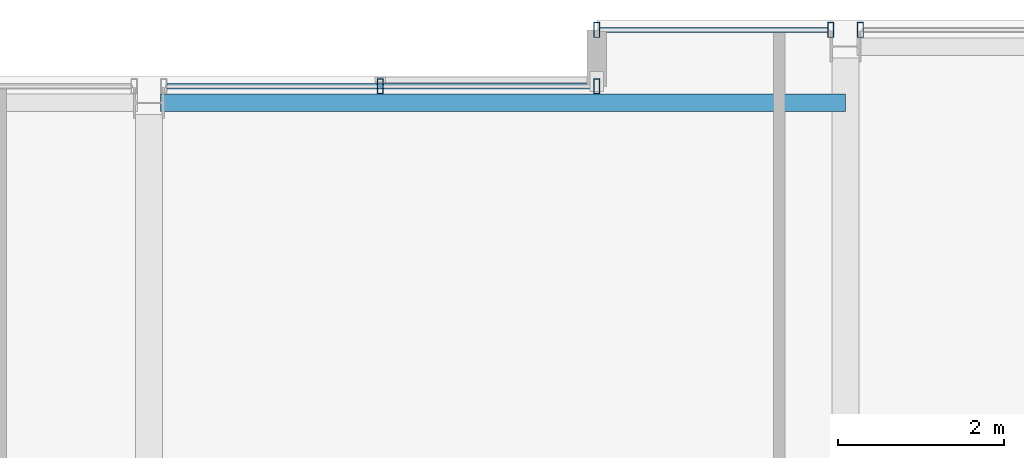
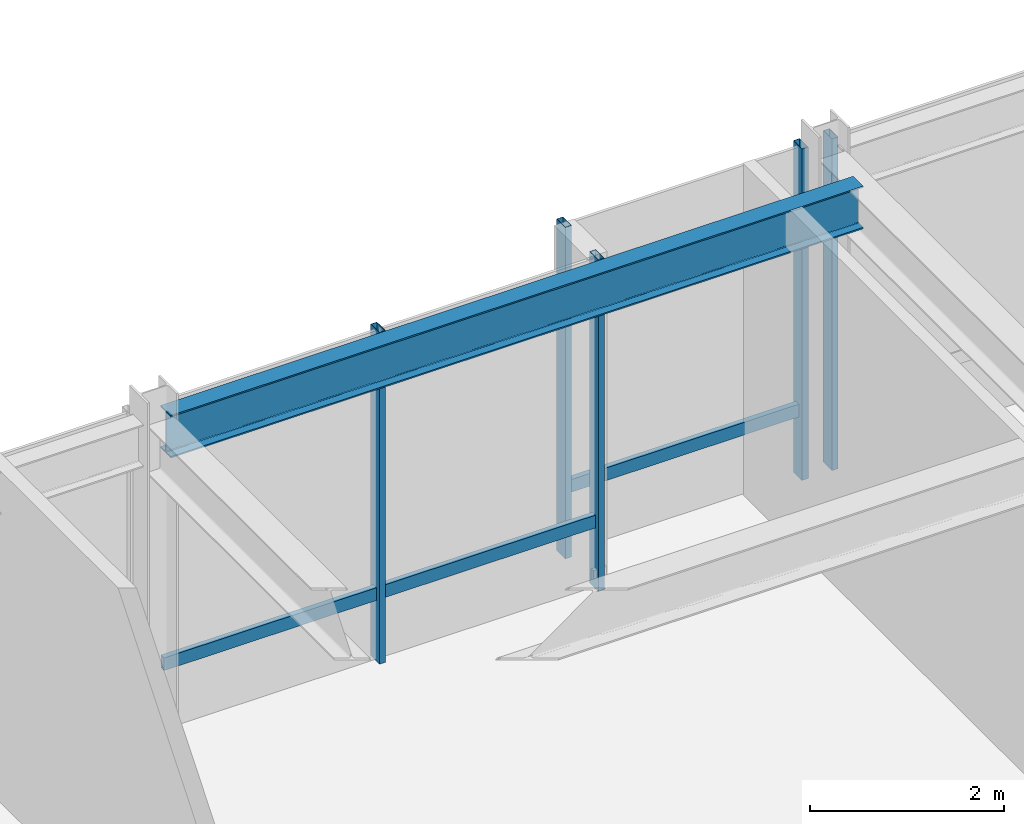
# One storey, part 22 of 32: 7 members, 1 beam, 3 elements without a shape of their own.
"""IFC4 building model written with IfcOpenShell, lengths in metres."""

from ifc_helpers import new_model, si_unit, direction, frame, origin, origin_2d, place, context, subcontext, project, spatial, hollow_rectangle, i_section, extrude, material, layer, layer_set, material_profile, profile_set, type_object, element, aggregate, save


model = new_model("IFC4")

# Units and contexts
model_context = context("Model", 3, precision=1e-05, world=origin(), true_north=direction((0.0, 1.0)))
body_context = subcontext(model_context, "Body", "Model", "MODEL_VIEW")
ifc_project = project(units=[si_unit("LENGTHUNIT", "METRE"), si_unit("AREAUNIT", "SQUARE_METRE"), si_unit("VOLUMEUNIT", "CUBIC_METRE"), si_unit("PLANEANGLEUNIT", "RADIAN"), si_unit("MASSUNIT", "GRAM", prefix="KILO")], contexts=[model_context])

# Site, building, storey
site_placement = place(None, origin())
site = spatial("IfcSite", under=ifc_project, at=site_placement, CompositionType="ELEMENT")
building_placement = place(site_placement, origin())
building = spatial("IfcBuilding", under=site, at=building_placement, Name="Drelvath Grand Hotel", CompositionType="ELEMENT")
storey_placement = place(building_placement, frame((0.0, 0.0, 255.5)))
storey = spatial("IfcBuildingStorey", under=building, at=storey_placement, Name="L67", CompositionType="ELEMENT", Elevation=255.5)

# Curtain wall, member
ifc_material_1 = material(Name="Platinum-Mist Anodised Aluminium Frame", Category="aluminium")
ifc_layer = layer(ifc_material_1, 0.199951171875)
ifc_layer_set = layer_set([ifc_layer], Name="Platinum-Mist Anodised Aluminium Frame")
curtain_wall_type = type_object("IfcCurtainWallType", Name="Stick Curtain Wall CW-05 Platinum Mist High-Rise", PredefinedType="NOTDEFINED", material=ifc_layer_set)
curtain_wall_1_placement = place(storey_placement, origin())
curtain_wall_1 = element("IfcCurtainWall", 1, at=curtain_wall_1_placement, inside=storey, type_object=curtain_wall_type, Name="L67 CW-05 Curtain Wall CW05-L67-NM2", PredefinedType="NOTDEFINED")
ifc_material_profile_1 = material_profile(ifc_material_1, hollow_rectangle(XDim=0.06494140625, YDim=0.159912109375, WallThickness=0.00390625, at=origin_2d()), Name="HSS160X65X4")
ifc_profile_set_1 = profile_set([ifc_material_profile_1], Name="Platinum-Mist Anodised Aluminium Frame")
member_type_1 = type_object("IfcMemberType", Name="Curtain Wall Horizontal Transom CW-05 HSS160X65X4", PredefinedType="USERDEFINED", material=ifc_profile_set_1)
member_1_placement = place(storey_placement, frame((0.21826171875, 48.39990234375, 0.85009765625), z_axis=(1.0, 0.0, 0.0), x_axis=(0.0, 1.0, 0.0)))
member_1 = element("IfcMember", 2, at=member_1_placement, type_object=member_type_1, Name="CW05-L67-NM2 Sill Transom", ObjectType="TRANSOM", PredefinedType="USERDEFINED", context=body_context, shape_type="SweptSolid", body=[
    extrude(hollow_rectangle(XDim=0.06494140625, YDim=0.159912109375, WallThickness=0.00390625, at=origin_2d()), origin(), (0.0, 0.0, 1.0), 5.141845703125),
])

curtain_wall_2_placement = place(storey_placement, origin())
curtain_wall_2 = element("IfcCurtainWall", 3, at=curtain_wall_2_placement, inside=storey, type_object=curtain_wall_type, Name="L67 CW-05 Curtain Wall CW05-L67-NE1", PredefinedType="NOTDEFINED")
member_2_placement = place(storey_placement, frame((5.43994140625, 49.080078125, 0.85009765625), z_axis=(1.0, 0.0, 0.0), x_axis=(0.0, 1.0, 0.0)))
member_2 = element("IfcMember", 4, at=member_2_placement, type_object=member_type_1, Name="CW05-L67-NE1 Sill Transom", ObjectType="TRANSOM", PredefinedType="USERDEFINED", context=body_context, shape_type="SweptSolid", body=[
    extrude(hollow_rectangle(XDim=0.06494140625, YDim=0.159912109375, WallThickness=0.00390625, at=origin_2d()), origin(), (0.0, 0.0, 1.0), 2.741943359375),
])

# Member
ifc_material_profile_2 = material_profile(ifc_material_1, hollow_rectangle(XDim=0.074951171875, YDim=0.179931640625, WallThickness=0.0048828125, at=origin_2d()), Name="HSS180X75X5")
ifc_profile_set_2 = profile_set([ifc_material_profile_2], Name="Platinum-Mist Anodised Aluminium Frame")
member_type_2 = type_object("IfcMemberType", Name="Curtain Wall Vertical Mullion CW-05 HSS180X75X5", PredefinedType="MULLION", material=ifc_profile_set_2)
member_3_placement = place(storey_placement, frame((2.7890625, 48.39990234375, 0.0), z_axis=(0.0, 0.0, 1.0), x_axis=(1.0, 0.0, 0.0)))
member_3 = element("IfcMember", 5, at=member_3_placement, type_object=member_type_2, Name="CW05-L67-NM2 Mullion 2", PredefinedType="MULLION", context=body_context, shape_type="SweptSolid", body=[
    extrude(hollow_rectangle(XDim=0.074951171875, YDim=0.179931640625, WallThickness=0.0048828125, at=origin_2d()), origin(), (0.0, 0.0, 1.0), 4.179931640625),
])

member_4_placement = place(storey_placement, frame((5.39990234375, 48.39990234375, 0.0), z_axis=(0.0, 0.0, 1.0), x_axis=(1.0, 0.0, 0.0)))
member_4 = element("IfcMember", 6, at=member_4_placement, type_object=member_type_2, Name="CW05-L67-NM2 Mullion 3", PredefinedType="MULLION", context=body_context, shape_type="SweptSolid", body=[
    extrude(hollow_rectangle(XDim=0.074951171875, YDim=0.179931640625, WallThickness=0.0048828125, at=origin_2d()), origin(), (0.0, 0.0, 1.0), 4.179931640625),
])

aggregate(curtain_wall_1, [member_3, member_4, member_1])

member_5_placement = place(storey_placement, frame((5.39990234375, 49.080078125, 0.0), z_axis=(0.0, 0.0, 1.0), x_axis=(1.0, 0.0, 0.0)))
member_5 = element("IfcMember", 7, at=member_5_placement, type_object=member_type_2, Name="CW05-L67-NE1 Mullion 1", PredefinedType="MULLION", context=body_context, shape_type="SweptSolid", body=[
    extrude(hollow_rectangle(XDim=0.074951171875, YDim=0.179931640625, WallThickness=0.0048828125, at=origin_2d()), origin(), (0.0, 0.0, 1.0), 4.179931640625),
])

member_6_placement = place(storey_placement, frame((8.2216796875, 49.080078125, 0.0), z_axis=(0.0, 0.0, 1.0), x_axis=(1.0, 0.0, 0.0)))
member_6 = element("IfcMember", 8, at=member_6_placement, type_object=member_type_2, Name="CW05-L67-NE1 Mullion 2", PredefinedType="MULLION", context=body_context, shape_type="SweptSolid", body=[
    extrude(hollow_rectangle(XDim=0.074951171875, YDim=0.179931640625, WallThickness=0.0048828125, at=origin_2d()), origin(), (0.0, 0.0, 1.0), 4.179931640625),
])

aggregate(curtain_wall_2, [member_5, member_6, member_2])

# Curtain wall, member
curtain_wall_3_placement = place(storey_placement, origin())
curtain_wall_3 = element("IfcCurtainWall", 9, at=curtain_wall_3_placement, inside=storey, type_object=curtain_wall_type, Name="L67 CW-05 Curtain Wall CW05-L67-NE2", PredefinedType="NOTDEFINED")
member_7_placement = place(storey_placement, frame((8.578125, 49.080078125, 0.0), z_axis=(0.0, 0.0, 1.0), x_axis=(1.0, 0.0, 0.0)))
member_7 = element("IfcMember", 10, at=member_7_placement, type_object=member_type_2, Name="CW05-L67-NE2 Mullion 1", PredefinedType="MULLION", context=body_context, shape_type="SweptSolid", body=[
    extrude(hollow_rectangle(XDim=0.074951171875, YDim=0.179931640625, WallThickness=0.0048828125, at=origin_2d()), origin(), (0.0, 0.0, 1.0), 4.179931640625),
])
aggregate(curtain_wall_3, [member_7])

# Beam
ifc_material_2 = material(Name="Steel ASTM A992 Gr 50", Category="steel")
ifc_material_profile_3 = material_profile(ifc_material_2, i_section(OverallWidth=0.210205078125, OverallDepth=0.53662109375, WebThickness=0.010986328125, FlangeThickness=0.017333984375, FilletRadius=0.01806640625, at=origin_2d()), Name="W21X68")
ifc_profile_set_3 = profile_set([ifc_material_profile_3], Name="Steel ASTM A992 Gr 50")
beam_type = type_object("IfcBeamType", Name="Perimeter Spandrel Beam W21X68", PredefinedType="SPANDREL", material=ifc_profile_set_3)
beam_placement = place(storey_placement, frame((0.139892578125, 48.199951171875, 3.91162109375), z_axis=(1.0, 0.0, 0.0), x_axis=(0.0, 1.0, 0.0)))
element("IfcBeam", 11, at=beam_placement, inside=storey, type_object=beam_type, Name="L67 Spandrel North Mid E", PredefinedType="SPANDREL", context=body_context, shape_type="SweptSolid", body=[
    extrude(i_section(OverallWidth=0.210205078125, OverallDepth=0.53662109375, WebThickness=0.010986328125, FlangeThickness=0.017333984375, FilletRadius=0.01806640625, at=origin_2d()), origin(), (0.0, 0.0, 1.0), 8.260009765625),
])

save(model, "model.ifc")
